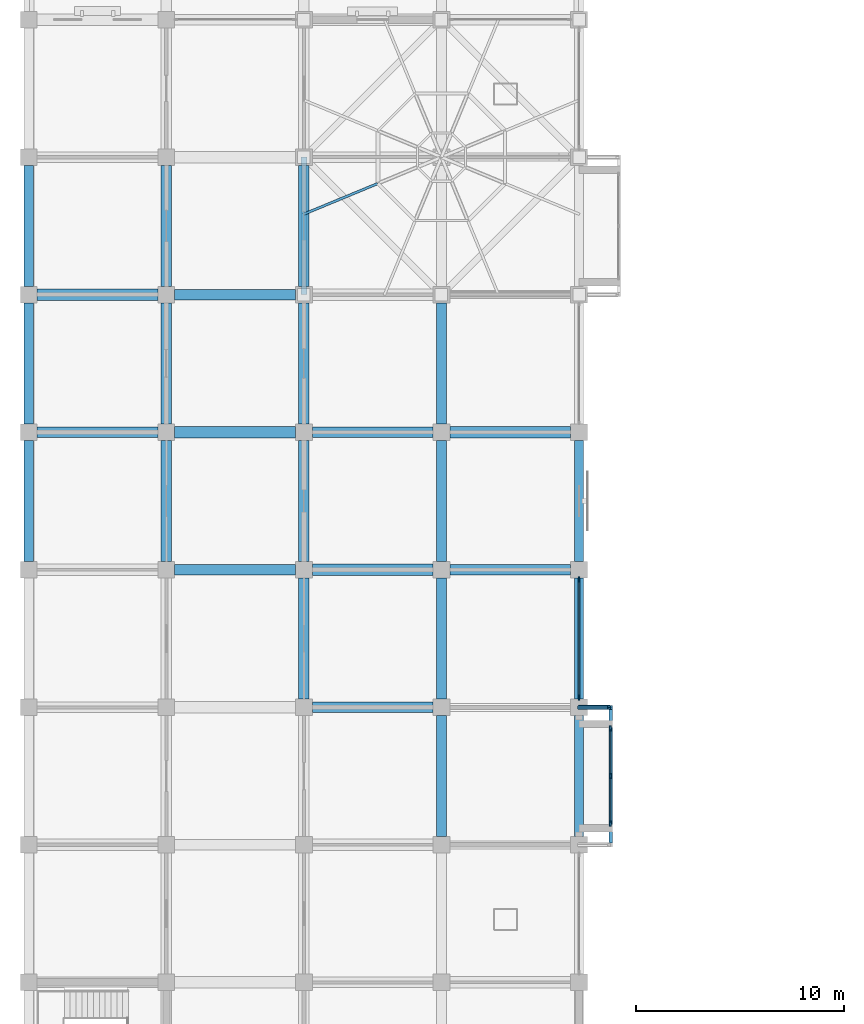
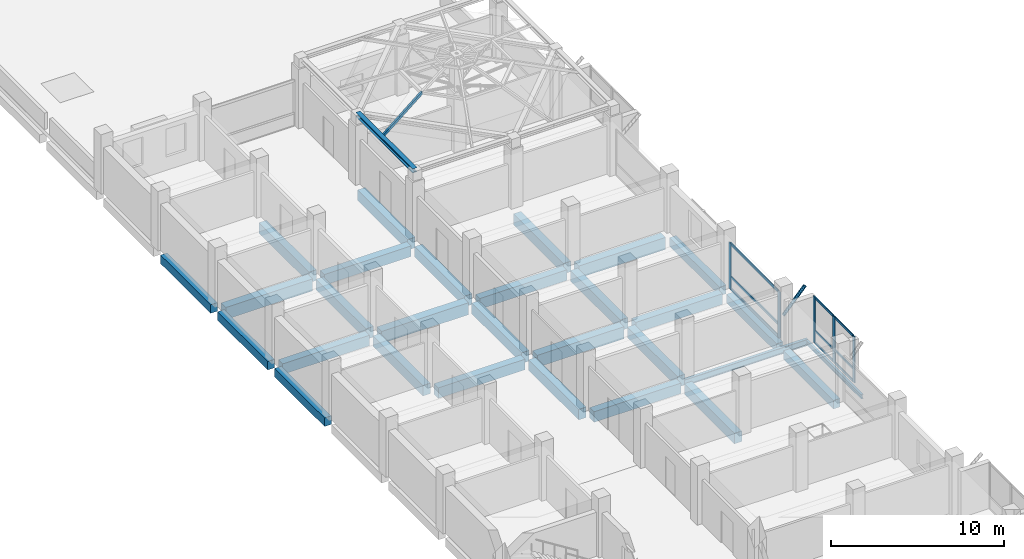
# One storey, part 11 of 30: 30 beams, 16 members, 2 elements without a shape of their own.
"""IFC4 building model written with IfcOpenShell, lengths in metres."""

from ifc_helpers import new_model, si_unit, direction, frame, origin, origin_2d, place, context, subcontext, project, spatial, rectangle, hollow_rectangle, hollow_circle, i_section, extrude, material, material_profile, profile_set, type_object, element, aggregate, save


model = new_model("IFC4")

# Units and contexts
model_context = context("Model", 3, precision=1e-05, world=origin(), true_north=direction((0.0, 1.0)))
body_context = subcontext(model_context, "Body", "Model", "MODEL_VIEW")
ifc_project = project(units=[si_unit("LENGTHUNIT", "METRE"), si_unit("AREAUNIT", "SQUARE_METRE"), si_unit("VOLUMEUNIT", "CUBIC_METRE"), si_unit("PLANEANGLEUNIT", "RADIAN"), si_unit("MASSUNIT", "GRAM", prefix="KILO")], contexts=[model_context])

# Site, building, storey
site_placement = place(None, origin())
site = spatial("IfcSite", under=ifc_project, at=site_placement, CompositionType="ELEMENT")
building_placement = place(site_placement, origin())
building = spatial("IfcBuilding", under=site, at=building_placement, Name="Rusizi Kubbe Research Institute", CompositionType="ELEMENT")
storey_placement = place(building_placement, frame((0.0, 0.0, 10.199951171875)))
storey = spatial("IfcBuildingStorey", under=building, at=storey_placement, Name="L02", CompositionType="ELEMENT", Elevation=10.199951171875)

# Beams
ifc_material_1 = material(Name="Steel S355", Category="steel")
ifc_material_profile_1 = material_profile(ifc_material_1, i_section(OverallWidth=0.300048828125, OverallDepth=0.300048828125, WebThickness=0.010986328125, FlangeThickness=0.01904296875, at=origin_2d()), Name="HEB 300")
ifc_profile_set_1 = profile_set([ifc_material_profile_1], Name="Steel S355")
beam_type_1 = type_object("IfcBeamType", Name="BM-HEB300", PredefinedType="BEAM", material=ifc_profile_set_1)
beam_1_placement = place(storey_placement, frame((13.199951171875, 105.60009765625, 4.699951171875), z_axis=(0.0, 1.0, 0.0), x_axis=(-1.0, 0.0, 0.0)))
element("IfcBeam", 1, at=beam_1_placement, inside=storey, type_object=beam_type_1, Name="Kubbe Dome Ring Beam DOME-LEC W1", PredefinedType="BEAM", context=body_context, shape_type="SweptSolid", body=[
    extrude(i_section(OverallWidth=0.300048828125, OverallDepth=0.300048828125, WebThickness=0.010986328125, FlangeThickness=0.01904296875, at=origin_2d()), origin(), (0.0, 0.0, 1.0), 6.599853515625),
])
ifc_material_2 = material(Name="Steel S355", Category="steel")
ifc_material_profile_2 = material_profile(ifc_material_2, i_section(OverallWidth=0.14990234375, OverallDepth=0.300048828125, WebThickness=0.007080078125, FlangeThickness=0.0107421875, at=origin_2d()), Name="IPE 300")
ifc_profile_set_2 = profile_set([ifc_material_profile_2], Name="Steel S355")
beam_type_2 = type_object("IfcBeamType", Name="BM-IPE300", PredefinedType="BEAM", material=ifc_profile_set_2)
beam_2_placement = place(storey_placement, frame((27.925048828125, 79.294921875, -0.5), z_axis=(0.0, 1.0, 0.0), x_axis=(-1.0, 0.0, 0.0)))
element("IfcBeam", 2, at=beam_2_placement, inside=storey, type_object=beam_type_2, Name="Cumba Edge Tie Beam L02-3", PredefinedType="BEAM", context=body_context, shape_type="SweptSolid", body=[
    extrude(i_section(OverallWidth=0.14990234375, OverallDepth=0.300048828125, WebThickness=0.007080078125, FlangeThickness=0.0107421875, at=origin_2d()), origin(), (0.0, 0.0, 1.0), 6.41015625),
])
ifc_material_3 = material(Name="Steel S355", Category="steel")
ifc_material_profile_3 = material_profile(ifc_material_3, i_section(OverallWidth=0.18994140625, OverallDepth=0.449951171875, WebThickness=0.009521484375, FlangeThickness=0.0146484375, at=origin_2d()), Name="IPE 450")
ifc_profile_set_3 = profile_set([ifc_material_profile_3], Name="Steel S355")
beam_type_3 = type_object("IfcBeamType", Name="BM-IPE450", PredefinedType="BEAM", material=ifc_profile_set_3)
beam_3_placement = place(storey_placement, frame((19.800048828125, 85.800048828125, -0.574951171875), z_axis=(1.0, 0.0, 0.0), x_axis=(0.0, 1.0, 0.0)))
element("IfcBeam", 3, at=beam_3_placement, inside=storey, type_object=beam_type_3, Name="Cumba Back-Spanned Cantilever Beam L02-3N", PredefinedType="BEAM", context=body_context, shape_type="SweptSolid", body=[
    extrude(i_section(OverallWidth=0.18994140625, OverallDepth=0.449951171875, WebThickness=0.009521484375, FlangeThickness=0.0146484375, at=origin_2d()), origin(), (0.0, 0.0, 1.0), 8.199951171875),
])
ifc_material_4 = material(Name="Concrete C40/50", Category="concrete")
ifc_material_profile_4 = material_profile(ifc_material_4, rectangle(XDim=0.449951171875, YDim=0.60009765625, at=origin_2d()), Name="RC450x600")
ifc_profile_set_4 = profile_set([ifc_material_profile_4], Name="Concrete C40/50")
beam_type_4 = type_object("IfcBeamType", Name="BM-RC450x600", PredefinedType="SPANDREL", material=ifc_profile_set_4)
for number, where, z_axis, x_axis, name in (
    (4, (0.0, 92.800048828125, -0.64990234375), (0.0, 1.0, 0.0), (-1.0, 0.0, 0.0), "Grid Beam V L02 (0,14)"),
    (5, (0.0, 99.39990234375, -0.64990234375), (0.0, 1.0, 0.0), (-1.0, 0.0, 0.0), "Grid Beam V L02 (0,15)"),
    (6, (0.0, 106.0, -0.64990234375), (0.0, 1.0, 0.0), (-1.0, 0.0, 0.0), "Grid Beam V L02 (0,16)"),
):
    element("IfcBeam", number, at=place(storey_placement, frame(where, z_axis=z_axis, x_axis=x_axis)), inside=storey, type_object=beam_type_4, Name=name, PredefinedType="SPANDREL", context=body_context, shape_type="SweptSolid", body=[
        extrude(rectangle(XDim=0.449951171875, YDim=0.60009765625, at=origin_2d()), origin(), (0.0, 0.0, 1.0), 5.800048828125),
    ])
beam_4_placement = place(storey_placement, frame((26.39990234375, 79.60009765625, -0.64990234375), z_axis=(0.0, 1.0, 0.0), x_axis=(-1.0, 0.0, 0.0)))
element("IfcBeam", 7, at=beam_4_placement, inside=storey, type_object=beam_type_4, Name="Grid Beam V L02 (4,12)", PredefinedType="SPANDREL", context=body_context, shape_type="SweptSolid", body=[
    extrude(rectangle(XDim=0.449951171875, YDim=0.60009765625, at=origin_2d()), origin(), (0.0, 0.0, 1.0), 5.7998046875),
])
for number, where, z_axis, x_axis, name in (
    (8, (26.39990234375, 86.199951171875, -0.64990234375), (0.0, 1.0, 0.0), (-1.0, 0.0, 0.0), "Grid Beam V L02 (4,13)"),
    (9, (26.39990234375, 92.800048828125, -0.64990234375), (0.0, 1.0, 0.0), (-1.0, 0.0, 0.0), "Grid Beam V L02 (4,14)"),
):
    element("IfcBeam", number, at=place(storey_placement, frame(where, z_axis=z_axis, x_axis=x_axis)), inside=storey, type_object=beam_type_4, Name=name, PredefinedType="SPANDREL", context=body_context, shape_type="SweptSolid", body=[
        extrude(rectangle(XDim=0.449951171875, YDim=0.60009765625, at=origin_2d()), origin(), (0.0, 0.0, 1.0), 5.800048828125),
    ])
ifc_material_5 = material(Name="Concrete C45/55", Category="concrete")
ifc_material_profile_5 = material_profile(ifc_material_5, rectangle(XDim=0.5, YDim=0.75, at=origin_2d()), Name="RC500x750B")
ifc_profile_set_5 = profile_set([ifc_material_profile_5], Name="Concrete C45/55")
beam_type_5 = type_object("IfcBeamType", Name="BM-RC500x750", PredefinedType="BEAM", material=ifc_profile_set_5)
for number, where, z_axis, x_axis, name in (
    (10, (0.39990234375, 99.0, -0.724853515625), (1.0, 0.0, 0.0), (0.0, 1.0, 0.0), "Grid Beam H L02 (0,15)"),
    (11, (7.0, 92.39990234375, -0.724853515625), (1.0, 0.0, 0.0), (0.0, 1.0, 0.0), "Grid Beam H L02 (1,14)"),
    (12, (7.0, 105.60009765625, -0.724853515625), (1.0, 0.0, 0.0), (0.0, 1.0, 0.0), "Grid Beam H L02 (1,16)"),
):
    element("IfcBeam", number, at=place(storey_placement, frame(where, z_axis=z_axis, x_axis=x_axis)), inside=storey, type_object=beam_type_5, Name=name, PredefinedType="BEAM", context=body_context, shape_type="SweptSolid", body=[
        extrude(rectangle(XDim=0.5, YDim=0.75, at=origin_2d()), origin(), (0.0, 0.0, 1.0), 5.800048828125),
    ])
for number, where, z_axis, x_axis, name in (
    (13, (13.60009765625, 85.800048828125, -0.724853515625), (1.0, 0.0, 0.0), (0.0, 1.0, 0.0), "Grid Beam H L02 (2,13)"),
    (14, (13.60009765625, 99.0, -0.724853515625), (1.0, 0.0, 0.0), (0.0, 1.0, 0.0), "Grid Beam H L02 (2,15)"),
):
    element("IfcBeam", number, at=place(storey_placement, frame(where, z_axis=z_axis, x_axis=x_axis)), inside=storey, type_object=beam_type_5, Name=name, PredefinedType="BEAM", context=body_context, shape_type="SweptSolid", body=[
        extrude(rectangle(XDim=0.5, YDim=0.75, at=origin_2d()), origin(), (0.0, 0.0, 1.0), 5.7998046875),
    ])
for number, where, z_axis, x_axis, name in (
    (15, (20.199951171875, 92.39990234375, -0.724853515625), (1.0, 0.0, 0.0), (0.0, 1.0, 0.0), "Grid Beam H L02 (3,14)"),
    (16, (6.60009765625, 92.800048828125, -0.724853515625), (0.0, 1.0, 0.0), (-1.0, 0.0, 0.0), "Grid Beam V L02 (1,14)"),
    (17, (6.60009765625, 99.39990234375, -0.724853515625), (0.0, 1.0, 0.0), (-1.0, 0.0, 0.0), "Grid Beam V L02 (1,15)"),
    (18, (6.60009765625, 106.0, -0.724853515625), (0.0, 1.0, 0.0), (-1.0, 0.0, 0.0), "Grid Beam V L02 (1,16)"),
    (19, (13.199951171875, 86.199951171875, -0.724853515625), (0.0, 1.0, 0.0), (-1.0, 0.0, 0.0), "Grid Beam V L02 (2,13)"),
    (20, (13.199951171875, 92.800048828125, -0.724853515625), (0.0, 1.0, 0.0), (-1.0, 0.0, 0.0), "Grid Beam V L02 (2,14)"),
    (21, (13.199951171875, 99.39990234375, -0.724853515625), (0.0, 1.0, 0.0), (-1.0, 0.0, 0.0), "Grid Beam V L02 (2,15)"),
    (22, (13.199951171875, 106.0, -0.724853515625), (0.0, 1.0, 0.0), (-1.0, 0.0, 0.0), "Grid Beam V L02 (2,16)"),
):
    element("IfcBeam", number, at=place(storey_placement, frame(where, z_axis=z_axis, x_axis=x_axis)), inside=storey, type_object=beam_type_5, Name=name, PredefinedType="BEAM", context=body_context, shape_type="SweptSolid", body=[
        extrude(rectangle(XDim=0.5, YDim=0.75, at=origin_2d()), origin(), (0.0, 0.0, 1.0), 5.800048828125),
    ])
beam_5_placement = place(storey_placement, frame((19.800048828125, 79.60009765625, -0.724853515625), z_axis=(0.0, 1.0, 0.0), x_axis=(-1.0, 0.0, 0.0)))
element("IfcBeam", 23, at=beam_5_placement, inside=storey, type_object=beam_type_5, Name="Grid Beam V L02 (3,12)", PredefinedType="BEAM", context=body_context, shape_type="SweptSolid", body=[
    extrude(rectangle(XDim=0.5, YDim=0.75, at=origin_2d()), origin(), (0.0, 0.0, 1.0), 5.7998046875),
])
for number, where, z_axis, x_axis, name in (
    (24, (19.800048828125, 86.199951171875, -0.724853515625), (0.0, 1.0, 0.0), (-1.0, 0.0, 0.0), "Grid Beam V L02 (3,13)"),
    (25, (19.800048828125, 92.800048828125, -0.724853515625), (0.0, 1.0, 0.0), (-1.0, 0.0, 0.0), "Grid Beam V L02 (3,14)"),
    (26, (19.800048828125, 99.39990234375, -0.724853515625), (0.0, 1.0, 0.0), (-1.0, 0.0, 0.0), "Grid Beam V L02 (3,15)"),
):
    element("IfcBeam", number, at=place(storey_placement, frame(where, z_axis=z_axis, x_axis=x_axis)), inside=storey, type_object=beam_type_5, Name=name, PredefinedType="BEAM", context=body_context, shape_type="SweptSolid", body=[
        extrude(rectangle(XDim=0.5, YDim=0.75, at=origin_2d()), origin(), (0.0, 0.0, 1.0), 5.800048828125),
    ])
ifc_material_6 = material(Name="Concrete C45/55", Category="concrete")
ifc_material_profile_6 = material_profile(ifc_material_6, rectangle(XDim=0.550048828125, YDim=0.85009765625, at=origin_2d()), Name="RC550x850")
ifc_profile_set_6 = profile_set([ifc_material_profile_6], Name="Concrete C45/55")
beam_type_6 = type_object("IfcBeamType", Name="BM-RC550x850", PredefinedType="BEAM", material=ifc_profile_set_6)
for number, where, z_axis, x_axis, name in (
    (27, (0.39990234375, 105.60009765625, -0.77490234375), (1.0, 0.0, 0.0), (0.0, 1.0, 0.0), "Grid Beam H L02 (0,16)"),
    (28, (7.0, 99.0, -0.77490234375), (1.0, 0.0, 0.0), (0.0, 1.0, 0.0), "Grid Beam H L02 (1,15)"),
):
    element("IfcBeam", number, at=place(storey_placement, frame(where, z_axis=z_axis, x_axis=x_axis)), inside=storey, type_object=beam_type_6, Name=name, PredefinedType="BEAM", context=body_context, shape_type="SweptSolid", body=[
        extrude(rectangle(XDim=0.550048828125, YDim=0.85009765625, at=origin_2d()), origin(), (0.0, 0.0, 1.0), 5.800048828125),
    ])
beam_6_placement = place(storey_placement, frame((13.60009765625, 92.39990234375, -0.77490234375), z_axis=(1.0, 0.0, 0.0), x_axis=(0.0, 1.0, 0.0)))
element("IfcBeam", 29, at=beam_6_placement, inside=storey, type_object=beam_type_6, Name="Grid Beam H L02 (2,14)", PredefinedType="BEAM", context=body_context, shape_type="SweptSolid", body=[
    extrude(rectangle(XDim=0.550048828125, YDim=0.85009765625, at=origin_2d()), origin(), (0.0, 0.0, 1.0), 5.7998046875),
])
beam_7_placement = place(storey_placement, frame((20.199951171875, 99.0, -0.77490234375), z_axis=(1.0, 0.0, 0.0), x_axis=(0.0, 1.0, 0.0)))
element("IfcBeam", 30, at=beam_7_placement, inside=storey, type_object=beam_type_6, Name="Grid Beam H L02 (3,15)", PredefinedType="BEAM", context=body_context, shape_type="SweptSolid", body=[
    extrude(rectangle(XDim=0.550048828125, YDim=0.85009765625, at=origin_2d()), origin(), (0.0, 0.0, 1.0), 5.800048828125),
])

# Members
ifc_material_7 = material(Name="Steel S355", Category="steel")
ifc_material_profile_7 = material_profile(ifc_material_7, hollow_circle(Radius=0.109619140625, WallThickness=0.008056640625, at=origin_2d()), Name="CHS 219.1x8.0")
ifc_profile_set_7 = profile_set([ifc_material_profile_7], Name="Steel S355")
member_type_1 = type_object("IfcMemberType", Name="MB-CHS219", PredefinedType="BRACE", material=ifc_profile_set_7)
member_1_placement = place(storey_placement, frame((26.39990234375, 85.800048828125, 1.85009765625), z_axis=(0.671602839617, 0.0, 0.74091134815), x_axis=(0.0, 1.0, 0.0)))
element("IfcMember", 31, at=member_1_placement, inside=storey, type_object=member_type_1, Name="Cumba Diagonal Corbel Brace L03-2N", PredefinedType="BRACE", context=body_context, shape_type="SweptSolid", body=[
    extrude(hollow_circle(Radius=0.109619140625, WallThickness=0.008056640625, at=origin_2d()), origin(), (0.0, 0.0, 1.0), 2.159423828125),
])
ifc_material_8 = material(Name="Steel S355", Category="steel")
ifc_material_profile_8 = material_profile(ifc_material_8, hollow_rectangle(XDim=0.1201171875, YDim=0.199951171875, WallThickness=0.008056640625, at=origin_2d()), Name="RHS 200x120x8.0")
ifc_profile_set_8 = profile_set([ifc_material_profile_8], Name="Steel S355")
member_type_2 = type_object("IfcMemberType", Name="MB-RHS200", PredefinedType="RAFTER", material=ifc_profile_set_8)
member_2_placement = place(storey_placement, frame((13.199951171875, 109.46630859375, 4.699951171875), z_axis=(0.891514437785, 0.369268148471, 0.262379575702), x_axis=(-0.38267527446, 0.923882911584, 0.0)))
element("IfcMember", 32, at=member_2_placement, inside=storey, type_object=member_type_2, Name="Kubbe Arch Rib Lower DOME-LEC-5", PredefinedType="RAFTER", context=body_context, shape_type="SweptSolid", body=[
    extrude(hollow_rectangle(XDim=0.1201171875, YDim=0.199951171875, WallThickness=0.008056640625, at=origin_2d()), origin(), (0.0, 0.0, 1.0), 3.9833984375),
])

# Curtain wall, members
ifc_material_9 = material(Name="Thermally Broken Aluminium and Low-E Glazing", Category="aluminium")
curtain_wall_type_1 = type_object("IfcCurtainWallType", Name="CW-01", PredefinedType="NOTDEFINED", material=ifc_material_9)
curtain_wall_1_placement = place(storey_placement, origin())
curtain_wall_1 = element("IfcCurtainWall", 33, at=curtain_wall_1_placement, inside=storey, type_object=curtain_wall_type_1, Name="Cumba Glazed Curtain Wall CW-CUMBA-L02-022", PredefinedType="NOTDEFINED")
ifc_material_10 = material(Name="Aluminium Alloy 6063-T6", Category="aluminium")
ifc_material_profile_9 = material_profile(ifc_material_10, rectangle(XDim=0.074951171875, YDim=0.25, at=origin_2d()), Name="ALU-M 75x250")
ifc_profile_set_9 = profile_set([ifc_material_profile_9], Name="Aluminium Alloy 6063-T6")
member_type_3 = type_object("IfcMemberType", Name="ML-05", PredefinedType="MULLION", material=ifc_profile_set_9)
member_3_placement = place(storey_placement, frame((27.89990234375, 80.219970703125, 0.0), z_axis=(0.0, 0.0, 1.0), x_axis=(-1.0, 0.0, 0.0)))
member_3 = element("IfcMember", 34, at=member_3_placement, type_object=member_type_3, Name="CW-01 mullion 1", PredefinedType="MULLION", context=body_context, shape_type="SweptSolid", body=[
    extrude(rectangle(XDim=0.074951171875, YDim=0.25, at=origin_2d()), origin(), (0.0, 0.0, 1.0), 3.25),
])
member_4_placement = place(storey_placement, frame((27.89990234375, 82.5, 0.0), z_axis=(0.0, 0.0, 1.0), x_axis=(-1.0, 0.0, 0.0)))
member_4 = element("IfcMember", 35, at=member_4_placement, type_object=member_type_3, Name="CW-01 mullion 2", PredefinedType="MULLION", context=body_context, shape_type="SweptSolid", body=[
    extrude(rectangle(XDim=0.074951171875, YDim=0.25, at=origin_2d()), origin(), (0.0, 0.0, 1.0), 3.25),
])
member_5_placement = place(storey_placement, frame((27.89990234375, 84.780029296875, 0.0), z_axis=(0.0, 0.0, 1.0), x_axis=(-1.0, 0.0, 0.0)))
member_5 = element("IfcMember", 36, at=member_5_placement, type_object=member_type_3, Name="CW-01 mullion 3", PredefinedType="MULLION", context=body_context, shape_type="SweptSolid", body=[
    extrude(rectangle(XDim=0.074951171875, YDim=0.25, at=origin_2d()), origin(), (0.0, 0.0, 1.0), 3.25),
])

ifc_material_11 = material(Name="Thermally Broken Aluminium and Low-E Glazing", Category="aluminium")
curtain_wall_type_2 = type_object("IfcCurtainWallType", Name="CW-05", PredefinedType="NOTDEFINED", material=ifc_material_11)
curtain_wall_2_placement = place(storey_placement, origin())
curtain_wall_2 = element("IfcCurtainWall", 37, at=curtain_wall_2_placement, inside=storey, type_object=curtain_wall_type_2, Name="Unitised Facade Curtain Wall CW-L02-V-04-13", PredefinedType="NOTDEFINED")
ifc_material_12 = material(Name="Aluminium Alloy 6063-T6", Category="aluminium")
ifc_material_profile_10 = material_profile(ifc_material_12, rectangle(XDim=0.080078125, YDim=0.280029296875, at=origin_2d()), Name="ALU-M 80x280")
ifc_profile_set_10 = profile_set([ifc_material_profile_10], Name="Aluminium Alloy 6063-T6")
member_type_4 = type_object("IfcMemberType", Name="ML-06", PredefinedType="MULLION", material=ifc_profile_set_10)
member_6_placement = place(storey_placement, frame((26.39990234375, 86.27001953125, 0.0), z_axis=(0.0, 0.0, 1.0), x_axis=(-1.0, 0.0, 0.0)))
member_6 = element("IfcMember", 38, at=member_6_placement, type_object=member_type_4, Name="CW-05 mullion 1", PredefinedType="MULLION", context=body_context, shape_type="SweptSolid", body=[
    extrude(rectangle(XDim=0.080078125, YDim=0.280029296875, at=origin_2d()), origin(), (0.0, 0.0, 1.0), 3.25),
])
member_7_placement = place(storey_placement, frame((26.39990234375, 91.929931640625, 0.0), z_axis=(0.0, 0.0, 1.0), x_axis=(-1.0, 0.0, 0.0)))
member_7 = element("IfcMember", 39, at=member_7_placement, type_object=member_type_4, Name="CW-05 mullion 2", PredefinedType="MULLION", context=body_context, shape_type="SweptSolid", body=[
    extrude(rectangle(XDim=0.080078125, YDim=0.280029296875, at=origin_2d()), origin(), (0.0, 0.0, 1.0), 3.25),
])

# Member
ifc_material_13 = material(Name="Aluminium Alloy 6063-T6", Category="aluminium")
ifc_material_profile_11 = material_profile(ifc_material_13, rectangle(XDim=0.06494140625, YDim=0.159912109375, at=origin_2d()), Name="ALU-T 65x160")
ifc_profile_set_11 = profile_set([ifc_material_profile_11], Name="Aluminium Alloy 6063-T6")
member_type_5 = type_object("IfcMemberType", Name="TR-03", PredefinedType="USERDEFINED", material=ifc_profile_set_11)
member_8_placement = place(storey_placement, frame((27.89990234375, 80.257568359375, 0.032470703125), z_axis=(0.0, 1.0, 0.0), x_axis=(-1.0, 0.0, 0.0)))
member_8 = element("IfcMember", 40, at=member_8_placement, type_object=member_type_5, Name="CW-01 transom 1.1", ObjectType="TRANSOM", PredefinedType="USERDEFINED", context=body_context, shape_type="SweptSolid", body=[
    extrude(rectangle(XDim=0.06494140625, YDim=0.159912109375, at=origin_2d()), origin(), (0.0, 0.0, 1.0), 2.204833984375),
])

member_9_placement = place(storey_placement, frame((27.89990234375, 80.257568359375, 0.900146484375), z_axis=(0.0, 1.0, 0.0), x_axis=(-1.0, 0.0, 0.0)))
member_9 = element("IfcMember", 41, at=member_9_placement, type_object=member_type_5, Name="CW-01 transom 1.2", ObjectType="TRANSOM", PredefinedType="USERDEFINED", context=body_context, shape_type="SweptSolid", body=[
    extrude(rectangle(XDim=0.06494140625, YDim=0.159912109375, at=origin_2d()), origin(), (0.0, 0.0, 1.0), 2.204833984375),
])

member_10_placement = place(storey_placement, frame((27.89990234375, 80.257568359375, 3.217529296875), z_axis=(0.0, 1.0, 0.0), x_axis=(-1.0, 0.0, 0.0)))
member_10 = element("IfcMember", 42, at=member_10_placement, type_object=member_type_5, Name="CW-01 transom 1.3", ObjectType="TRANSOM", PredefinedType="USERDEFINED", context=body_context, shape_type="SweptSolid", body=[
    extrude(rectangle(XDim=0.06494140625, YDim=0.159912109375, at=origin_2d()), origin(), (0.0, 0.0, 1.0), 2.204833984375),
])

member_11_placement = place(storey_placement, frame((27.89990234375, 82.53759765625, 0.032470703125), z_axis=(0.0, 1.0, 0.0), x_axis=(-1.0, 0.0, 0.0)))
member_11 = element("IfcMember", 43, at=member_11_placement, type_object=member_type_5, Name="CW-01 transom 2.1", ObjectType="TRANSOM", PredefinedType="USERDEFINED", context=body_context, shape_type="SweptSolid", body=[
    extrude(rectangle(XDim=0.06494140625, YDim=0.159912109375, at=origin_2d()), origin(), (0.0, 0.0, 1.0), 2.204833984375),
])

member_12_placement = place(storey_placement, frame((27.89990234375, 82.53759765625, 0.900146484375), z_axis=(0.0, 1.0, 0.0), x_axis=(-1.0, 0.0, 0.0)))
member_12 = element("IfcMember", 44, at=member_12_placement, type_object=member_type_5, Name="CW-01 transom 2.2", ObjectType="TRANSOM", PredefinedType="USERDEFINED", context=body_context, shape_type="SweptSolid", body=[
    extrude(rectangle(XDim=0.06494140625, YDim=0.159912109375, at=origin_2d()), origin(), (0.0, 0.0, 1.0), 2.204833984375),
])

member_13_placement = place(storey_placement, frame((27.89990234375, 82.53759765625, 3.217529296875), z_axis=(0.0, 1.0, 0.0), x_axis=(-1.0, 0.0, 0.0)))
member_13 = element("IfcMember", 45, at=member_13_placement, type_object=member_type_5, Name="CW-01 transom 2.3", ObjectType="TRANSOM", PredefinedType="USERDEFINED", context=body_context, shape_type="SweptSolid", body=[
    extrude(rectangle(XDim=0.06494140625, YDim=0.159912109375, at=origin_2d()), origin(), (0.0, 0.0, 1.0), 2.204833984375),
])

aggregate(curtain_wall_1, [member_3, member_4, member_5, member_8, member_9, member_10, member_11, member_12, member_13])

ifc_material_14 = material(Name="Aluminium Alloy 6063-T6", Category="aluminium")
ifc_material_profile_12 = material_profile(ifc_material_14, rectangle(XDim=0.070068359375, YDim=0.18994140625, at=origin_2d()), Name="ALU-T 70x190")
ifc_profile_set_12 = profile_set([ifc_material_profile_12], Name="Aluminium Alloy 6063-T6")
member_type_6 = type_object("IfcMemberType", Name="TR-04", PredefinedType="USERDEFINED", material=ifc_profile_set_12)
member_14_placement = place(storey_placement, frame((26.39990234375, 86.31005859375, 0.03515625), z_axis=(0.0, 1.0, 0.0), x_axis=(-1.0, 0.0, 0.0)))
member_14 = element("IfcMember", 46, at=member_14_placement, type_object=member_type_6, Name="CW-05 transom 1.1", ObjectType="TRANSOM", PredefinedType="USERDEFINED", context=body_context, shape_type="SweptSolid", body=[
    extrude(rectangle(XDim=0.070068359375, YDim=0.18994140625, at=origin_2d()), origin(), (0.0, 0.0, 1.0), 5.579833984375),
])

member_15_placement = place(storey_placement, frame((26.39990234375, 86.31005859375, 0.900146484375), z_axis=(0.0, 1.0, 0.0), x_axis=(-1.0, 0.0, 0.0)))
member_15 = element("IfcMember", 47, at=member_15_placement, type_object=member_type_6, Name="CW-05 transom 1.2", ObjectType="TRANSOM", PredefinedType="USERDEFINED", context=body_context, shape_type="SweptSolid", body=[
    extrude(rectangle(XDim=0.070068359375, YDim=0.18994140625, at=origin_2d()), origin(), (0.0, 0.0, 1.0), 5.579833984375),
])

member_16_placement = place(storey_placement, frame((26.39990234375, 86.31005859375, 3.215087890625), z_axis=(0.0, 1.0, 0.0), x_axis=(-1.0, 0.0, 0.0)))
member_16 = element("IfcMember", 48, at=member_16_placement, type_object=member_type_6, Name="CW-05 transom 1.3", ObjectType="TRANSOM", PredefinedType="USERDEFINED", context=body_context, shape_type="SweptSolid", body=[
    extrude(rectangle(XDim=0.070068359375, YDim=0.18994140625, at=origin_2d()), origin(), (0.0, 0.0, 1.0), 5.579833984375),
])

aggregate(curtain_wall_2, [member_6, member_7, member_14, member_15, member_16])

save(model, "model.ifc")
